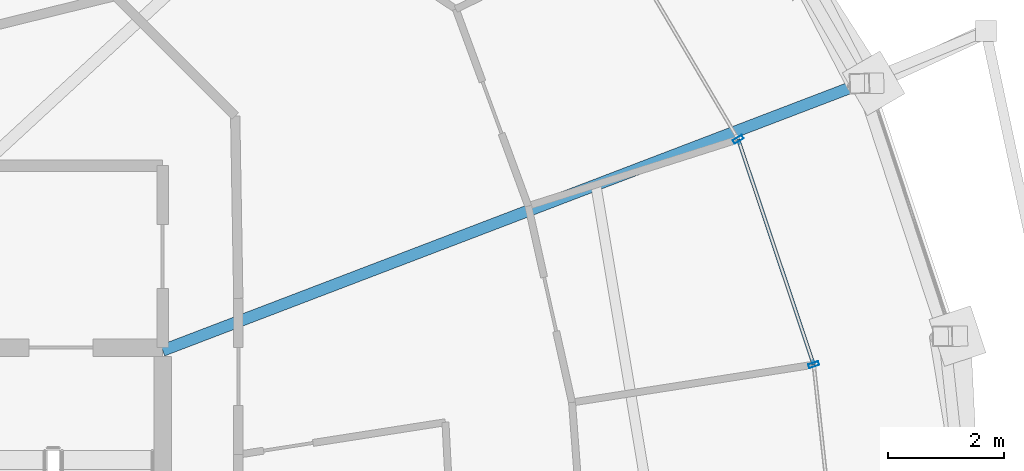
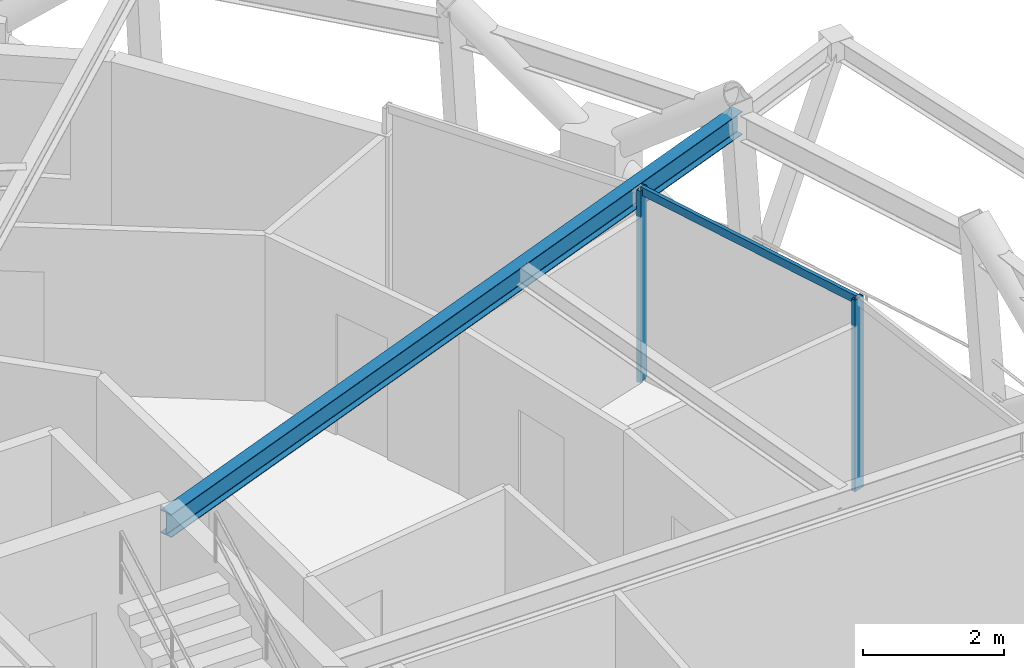
# One storey, part 8 of 18: 3 members, 1 beam, 1 element without a shape of its own.
"""IFC4 building model written with IfcOpenShell, lengths in metres."""

from ifc_helpers import new_model, si_unit, direction, frame, origin, origin_2d, place, context, subcontext, project, spatial, hollow_rectangle, i_section, extrude, material, layer, layer_set, material_profile, profile_set, type_object, element, aggregate, save


model = new_model("IFC4")

# Units and contexts
model_context = context("Model", 3, precision=1e-05, world=origin(), true_north=direction((0.0, 1.0)))
body_context = subcontext(model_context, "Body", "Model", "MODEL_VIEW")
ifc_project = project(units=[si_unit("LENGTHUNIT", "METRE"), si_unit("AREAUNIT", "SQUARE_METRE"), si_unit("VOLUMEUNIT", "CUBIC_METRE"), si_unit("PLANEANGLEUNIT", "RADIAN"), si_unit("MASSUNIT", "GRAM", prefix="KILO")], contexts=[model_context])

# Site, building, storey
site_placement = place(None, origin())
site = spatial("IfcSite", under=ifc_project, at=site_placement, CompositionType="ELEMENT")
building_placement = place(site_placement, origin())
building = spatial("IfcBuilding", under=site, at=building_placement, Name="Veldorina Hangang Commons", CompositionType="ELEMENT")
storey_placement = place(building_placement, frame((0.0, 0.0, 218.39990234375)))
storey = spatial("IfcBuildingStorey", under=building, at=storey_placement, Name="L56", CompositionType="ELEMENT", Elevation=218.39990234375)

# Beam
ifc_material_1 = material(Name="Steel SM355-TMC", Category="steel")
ifc_material_profile_1 = material_profile(ifc_material_1, i_section(OverallWidth=0.199951171875, OverallDepth=0.39990234375, WebThickness=0.008056640625, FlangeThickness=0.012939453125, FilletRadius=0.012939453125, at=origin_2d()), Name="H-400x200x8x13")
ifc_profile_set_1 = profile_set([ifc_material_profile_1], Name="Steel SM355-TMC")
beam_type = type_object("IfcBeamType", Name="BM-FG400", PredefinedType="BEAM", material=ifc_profile_set_1)
beam_placement = place(storey_placement, frame((43.179931640625, 28.272216796875, 3.16015625), z_axis=(0.934118707668, 0.356962519019, 0.0), x_axis=(-0.356962519019, 0.934118707668, 0.0)))
element("IfcBeam", 1, at=beam_placement, inside=storey, type_object=beam_type, Name="L56 radial floor girder 02", PredefinedType="BEAM", context=body_context, shape_type="SweptSolid", body=[
    extrude(i_section(OverallWidth=0.199951171875, OverallDepth=0.39990234375, WebThickness=0.008056640625, FlangeThickness=0.012939453125, FilletRadius=0.012939453125, at=origin_2d()), origin(), (0.0, 0.0, 1.0), 12.85595703125),
])

# Curtain wall, members
ifc_material_2 = material(Name="Glass Low-E Selective", Category="glass")
ifc_layer = layer(ifc_material_2, 0.179931640625)
ifc_layer_set = layer_set([ifc_layer], Name="Glass Low-E Selective")
curtain_wall_type = type_object("IfcCurtainWallType", Name="CW-SYS-Z3", PredefinedType="NOTDEFINED", material=ifc_layer_set)
curtain_wall_placement = place(storey_placement, origin())
curtain_wall = element("IfcCurtainWall", 2, at=curtain_wall_placement, inside=storey, type_object=curtain_wall_type, Name="L56 unitised curtain wall CW-L56-R2", PredefinedType="NOTDEFINED")
ifc_material_3 = material(Name="Aluminium Anodized AA6063-T6", Category="aluminium")
ifc_material_profile_2 = material_profile(ifc_material_3, hollow_rectangle(XDim=0.070068359375, YDim=0.179931640625, WallThickness=0.00390625, at=origin_2d()), Name="ALU-RHS-180x70x4")
ifc_profile_set_2 = profile_set([ifc_material_profile_2], Name="Aluminium Anodized AA6063-T6")
member_type_1 = type_object("IfcMemberType", Name="CW-MUL-180", PredefinedType="MULLION", material=ifc_profile_set_2)
member_1_placement = place(storey_placement, frame((54.370361328125, 28.028076171875, 0.0), z_axis=(0.0, 0.0, 1.0), x_axis=(-0.317734959345, 0.948179569285, 0.0)))
member_1 = element("IfcMember", 3, at=member_1_placement, type_object=member_type_1, Name="CW-L56-R2 vertical mullion 3", PredefinedType="MULLION", context=body_context, shape_type="SweptSolid", body=[
    extrude(hollow_rectangle(XDim=0.070068359375, YDim=0.179931640625, WallThickness=0.00390625, at=origin_2d()), origin(), (0.0, 0.0, 1.0), 3.320068359375),
])
member_2_placement = place(storey_placement, frame((53.072509765625, 31.901123046875, 0.0), z_axis=(0.0, 0.0, 1.0), x_axis=(-0.508470438106, 0.861079446725, 0.0)))
member_2 = element("IfcMember", 4, at=member_2_placement, type_object=member_type_1, Name="CW-L56-R2 vertical mullion 4", PredefinedType="MULLION", context=body_context, shape_type="SweptSolid", body=[
    extrude(hollow_rectangle(XDim=0.070068359375, YDim=0.179931640625, WallThickness=0.00390625, at=origin_2d()), origin(), (0.0, 0.0, 1.0), 3.320068359375),
])
ifc_material_profile_3 = material_profile(ifc_material_3, hollow_rectangle(XDim=0.06005859375, YDim=0.139892578125, WallThickness=0.00341796875, at=origin_2d()), Name="ALU-RHS-140x60x3.5")
ifc_profile_set_3 = profile_set([ifc_material_profile_3], Name="Aluminium Anodized AA6063-T6")
member_type_2 = type_object("IfcMemberType", Name="CW-TRN-140", PredefinedType="USERDEFINED", material=ifc_profile_set_3)
member_3_placement = place(storey_placement, frame((54.370361328125, 28.028076171875, 3.280029296875), z_axis=(-0.317733553611, 0.948180040346, 0.0), x_axis=(-0.948180040346, -0.317733553611, 0.0)))
member_3 = element("IfcMember", 5, at=member_3_placement, type_object=member_type_2, Name="CW-L56-R2 facet 4 transom 1", ObjectType="TRANSOM", PredefinedType="USERDEFINED", context=body_context, shape_type="SweptSolid", body=[
    extrude(hollow_rectangle(XDim=0.06005859375, YDim=0.139892578125, WallThickness=0.00341796875, at=origin_2d()), origin(), (0.0, 0.0, 1.0), 4.084716796875),
])
aggregate(curtain_wall, [member_1, member_2, member_3])

save(model, "model.ifc")
